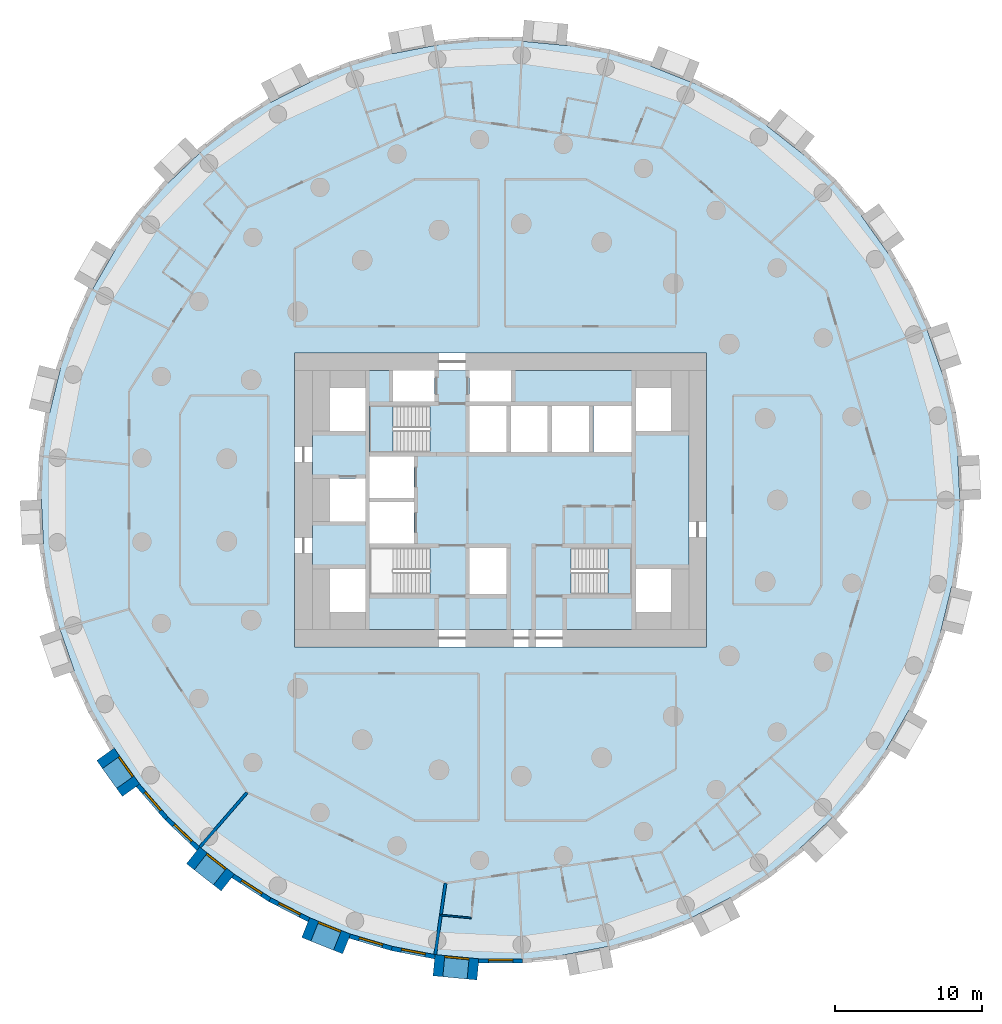
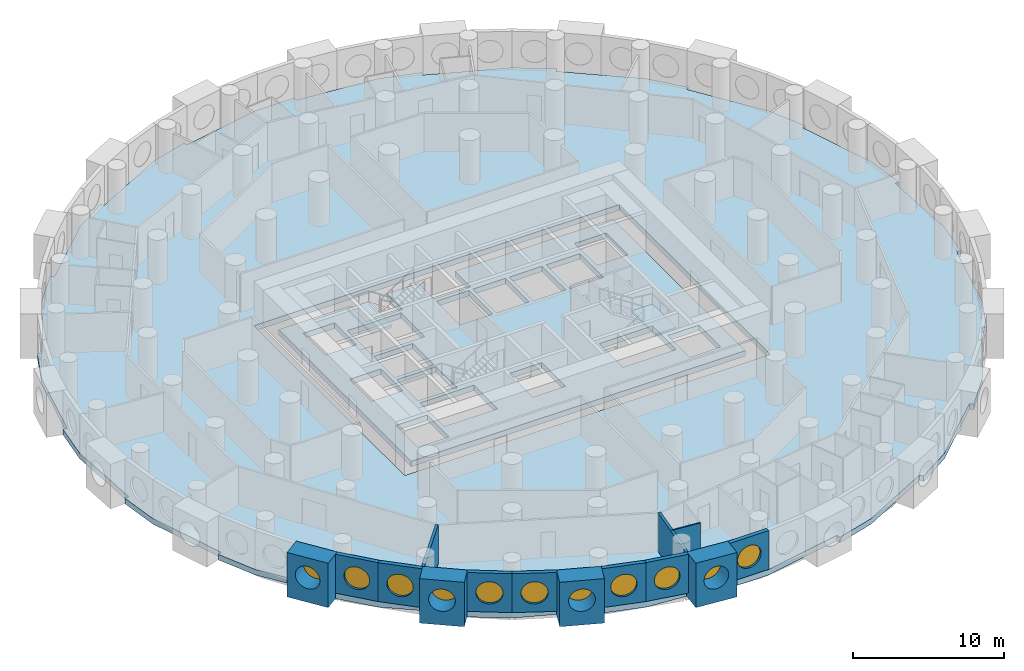
# One storey, part 2 of 11: 14 walls, 11 windows, 4 slabs, 11 openings, 2 elements without a shape of their own.
"""IFC4 building model written with IfcOpenShell, lengths in metres."""

from ifc_helpers import new_model, si_unit, direction, frame, frame_2d, origin, origin_2d, place, context, subcontext, project, spatial, polyline, rectangle, circle, outline, extrude, material, layer, layer_set, type_object, element, fill, aggregate, save


model = new_model("IFC4")

# Units and contexts
model_context = context("Model", 3, precision=1e-05, world=origin(), true_north=direction((0.0, 1.0)))
body_context = subcontext(model_context, "Body", "Model", "MODEL_VIEW")
ifc_project = project(units=[si_unit("LENGTHUNIT", "METRE"), si_unit("AREAUNIT", "SQUARE_METRE"), si_unit("VOLUMEUNIT", "CUBIC_METRE"), si_unit("PLANEANGLEUNIT", "RADIAN"), si_unit("MASSUNIT", "GRAM", prefix="KILO")], contexts=[model_context])

# Site, building, storey
site_placement = place(None, origin())
site = spatial("IfcSite", under=ifc_project, at=site_placement, CompositionType="ELEMENT")
building_placement = place(site_placement, origin())
building = spatial("IfcBuilding", under=site, at=building_placement, Name="Tracery Tower", CompositionType="ELEMENT")
storey_placement = place(building_placement, frame((0.0, 0.0, 93.0)))
storey = spatial("IfcBuildingStorey", under=building, at=storey_placement, Name="L23", CompositionType="ELEMENT", Elevation=93.0)

# Slabs
ifc_material_1 = material(Name="Concrete C60/75", Category="concrete")
ifc_layer_1 = layer(ifc_material_1, 0.449951171875)
ifc_layer_set_1 = layer_set([ifc_layer_1], Name="Core floor slab 450 C60")
slab_type_1 = type_object("IfcSlabType", Name="Core floor slab 450 C60", PredefinedType="FLOOR", material=ifc_layer_set_1)
slab_1_placement = place(storey_placement, frame((0.0, 0.0, -0.449951171875)))
element("IfcSlab", 1, at=slab_1_placement, inside=storey, type_object=slab_type_1, Name="L23 core floor 1", PredefinedType="FLOOR", context=body_context, shape_type="SweptSolid", body=[
    extrude(outline(polyline([(-12.800048828125, 8.800048828125), (-7.300048828125, 8.800048828125), (-7.300048828125, 6.699951171875), (-4.5, 6.699951171875), (-4.5, 8.800048828125), (-2.10009765625, 8.800048828125), (-2.10009765625, 6.699951171875), (0.699951171875, 6.699951171875), (0.699951171875, 8.800048828125), (12.800048828125, 8.800048828125), (12.800048828125, -8.800048828125), (-12.800048828125, -8.800048828125), (-12.800048828125, 8.800048828125)]), holes=[polyline([(11.60009765625, -7.60009765625), (11.60009765625, -4.699951171875), (9.199951171875, -4.699951171875), (9.199951171875, -7.60009765625), (11.60009765625, -7.60009765625)]), polyline([(11.60009765625, 4.699951171875), (11.60009765625, 7.60009765625), (9.199951171875, 7.60009765625), (9.199951171875, 4.699951171875), (11.60009765625, 4.699951171875)]), polyline([(4.800537109375, -3.25), (4.800537109375, -6.39990234375), (8.89990234375, -6.39990234375), (8.89990234375, -3.25), (4.800537109375, -3.25)]), polyline([(6.300048828125, 3.25), (8.89990234375, 3.25), (8.89990234375, 6.39990234375), (6.300048828125, 6.39990234375), (6.300048828125, 3.25)]), polyline([(3.5, 3.25), (6.0, 3.25), (6.0, 6.39990234375), (3.5, 6.39990234375), (3.5, 3.25)]), polyline([(3.199951171875, 3.25), (3.199951171875, 6.39990234375), (0.699951171875, 6.39990234375), (0.699951171875, 3.25), (3.199951171875, 3.25)]), polyline([(-2.10009765625, 3.25), (0.39990234375, 3.25), (0.39990234375, 6.39990234375), (-2.10009765625, 6.39990234375), (-2.10009765625, 3.25)]), polyline([(0.39990234375, -6.39990234375), (0.39990234375, -3.25), (-2.10009765625, -3.25), (-2.10009765625, -6.39990234375), (0.39990234375, -6.39990234375)]), polyline([(-4.800537109375, -3.25), (-8.89990234375, -3.25), (-8.89990234375, -6.39990234375), (-4.800537109375, -6.39990234375), (-4.800537109375, -3.25)]), polyline([(-4.800537109375, 6.39990234375), (-8.89990234375, 6.39990234375), (-8.89990234375, 3.25), (-4.800537109375, 3.25), (-4.800537109375, 6.39990234375)]), polyline([(-8.89990234375, -2.949951171875), (-5.89990234375, -2.949951171875), (-5.89990234375, -0.14990234375), (-8.89990234375, -0.14990234375), (-8.89990234375, -2.949951171875)]), polyline([(-5.89990234375, 0.14990234375), (-5.89990234375, 2.949951171875), (-8.89990234375, 2.949951171875), (-8.89990234375, 0.14990234375), (-5.89990234375, 0.14990234375)]), polyline([(-11.60009765625, 4.699951171875), (-9.199951171875, 4.699951171875), (-9.199951171875, 7.60009765625), (-11.60009765625, 7.60009765625), (-11.60009765625, 4.699951171875)]), polyline([(-9.199951171875, -7.60009765625), (-9.199951171875, -4.699951171875), (-11.60009765625, -4.699951171875), (-11.60009765625, -7.60009765625), (-9.199951171875, -7.60009765625)]), polyline([(-9.199951171875, -1.449951171875), (-9.199951171875, 1.449951171875), (-11.60009765625, 1.449951171875), (-11.60009765625, -1.449951171875), (-9.199951171875, -1.449951171875)])]), origin(), (0.0, 0.0, 1.0), 0.449951171875),
])
ifc_material_2 = material(Name="Concrete C50/60", Category="concrete")
ifc_layer_2 = layer(ifc_material_2, 0.449951171875)
ifc_layer_set_2 = layer_set([ifc_layer_2], Name="Floor slab 450")
slab_type_2 = type_object("IfcSlabType", Name="Floor slab 450", PredefinedType="FLOOR", material=ifc_layer_set_2)
slab_2_placement = place(storey_placement, frame((0.0, 0.0, -0.449951171875)))
element("IfcSlab", 2, at=slab_2_placement, inside=storey, type_object=slab_type_2, Name="Floor slab L23", PredefinedType="FLOOR", context=body_context, shape_type="SweptSolid", body=[
    extrude(outline(polyline([(29.964111328125, 8.783447265625), (29.964111328125, 8.783447265625), (28.98291015625, 11.618408203125), (29.266357421875, 11.716552734375), (28.020263671875, 14.4453125), (26.27587890625, 16.869384765625), (26.27587890625, 16.869384765625), (26.27001953125, 16.877685546875), (26.267578125, 16.881103515625), (24.81201171875, 18.9248046875), (24.53564453125, 19.313232421875), (24.780029296875, 19.4873046875), (22.8154296875, 21.75439453125), (20.458740234375, 23.5888671875), (20.458740234375, 23.5888671875), (20.4541015625, 23.592529296875), (20.447509765625, 23.59765625), (18.11181640625, 25.4345703125), (18.11181640625, 25.4345703125), (18.1005859375, 25.443359375), (18.2861328125, 25.67919921875), (15.76220703125, 27.301025390625), (12.984375, 28.397216796875), (12.984375, 28.397216796875), (10.19921875, 29.51220703125), (10.310791015625, 29.790771484375), (7.43212890625, 30.635986328125), (4.4580078125, 30.905029296875), (4.4580078125, 30.905029296875), (4.45166015625, 30.90576171875), (4.443603515625, 30.906494140625), (1.859375, 31.1533203125), (1.471435546875, 31.190185546875), (1.5, 31.489013671875), (1.5, 31.489013671875), (-1.5, 31.489013671875), (-4.4296875, 30.9091796875), (-4.4296875, 30.9091796875), (-4.4365234375, 30.90771484375), (-4.443603515625, 30.906494140625), (-7.114501953125, 30.3916015625), (-7.37548828125, 30.34130859375), (-7.43212890625, 30.635986328125), (-10.310791015625, 29.790771484375), (-12.95849609375, 28.4091796875), (-12.958251953125, 28.4091796875), (-13.0693359375, 28.351806640625), (-15.612060546875, 27.041015625), (-15.612060546875, 27.041015625), (-15.624755859375, 27.034423828125), (-15.76220703125, 27.301025390625), (-15.76220703125, 27.301025390625), (-18.2861328125, 25.67919921875), (-20.437255859375, 23.607666015625), (-20.437255859375, 23.607666015625), (-20.441162109375, 23.603759765625), (-20.447509765625, 23.59765625), (-21.854736328125, 22.256103515625), (-22.6083984375, 21.537353515625), (-22.8154296875, 21.75439453125), (-24.780029296875, 19.4873046875), (-26.260498046875, 16.8935546875), (-26.260498046875, 16.8935546875), (-26.265380859375, 16.884765625), (-26.267578125, 16.881103515625), (-27.753173828125, 14.307861328125), (-27.753173828125, 14.307861328125), (-27.760498046875, 14.29541015625), (-28.02001953125, 14.4453125), (-28.020263671875, 14.4453125), (-29.266357421875, 11.716552734375), (-29.956298828125, 8.810791015625), (-29.9560546875, 8.810791015625), (-30.6015625, 6.150390625), (-30.659912109375, 5.9091796875), (-30.659912109375, 5.9091796875), (-30.663330078125, 5.895263671875), (-30.954833984375, 5.966064453125), (-31.3818359375, 2.99658203125), (-31.22509765625, 0.014404296875), (-31.224853515625, 0.014404296875), (-31.082275390625, -2.982421875), (-31.3818359375, -2.99658203125), (-30.954833984375, -5.966064453125), (-29.964111328125, -8.783447265625), (-29.964111328125, -8.783447265625), (-28.98291015625, -11.618408203125), (-29.266357421875, -11.716552734375), (-28.020263671875, -14.4453125), (-26.27587890625, -16.869384765625), (-26.27587890625, -16.869384765625), (-26.27001953125, -16.877685546875), (-26.267578125, -16.881103515625), (-24.81201171875, -18.9248046875), (-24.53564453125, -19.313232421875), (-24.780029296875, -19.4873046875), (-22.8154296875, -21.75439453125), (-20.458740234375, -23.5888671875), (-20.458740234375, -23.5888671875), (-20.4541015625, -23.592529296875), (-20.447509765625, -23.59765625), (-18.11181640625, -25.4345703125), (-18.11181640625, -25.4345703125), (-18.1005859375, -25.443359375), (-18.2861328125, -25.67919921875), (-15.76220703125, -27.301025390625), (-12.984375, -28.397216796875), (-12.984375, -28.397216796875), (-10.19921875, -29.51220703125), (-10.310791015625, -29.790771484375), (-7.43212890625, -30.635986328125), (-4.4580078125, -30.905029296875), (-4.4580078125, -30.905029296875), (-4.45166015625, -30.90576171875), (-4.443603515625, -30.906494140625), (-1.859375, -31.1533203125), (-1.471435546875, -31.190185546875), (-1.5, -31.489013671875), (-1.5, -31.489013671875), (1.5, -31.489013671875), (4.4296875, -30.9091796875), (4.4296875, -30.9091796875), (4.4365234375, -30.90771484375), (4.443603515625, -30.906494140625), (7.114501953125, -30.3916015625), (7.37548828125, -30.34130859375), (7.43212890625, -30.635986328125), (10.310791015625, -29.790771484375), (12.95849609375, -28.4091796875), (12.958251953125, -28.4091796875), (13.0693359375, -28.351806640625), (15.612060546875, -27.041015625), (15.612060546875, -27.041015625), (15.624755859375, -27.034423828125), (15.76220703125, -27.301025390625), (15.76220703125, -27.301025390625), (18.2861328125, -25.67919921875), (20.437255859375, -23.607666015625), (20.437255859375, -23.607666015625), (20.441162109375, -23.603759765625), (20.447509765625, -23.59765625), (21.854736328125, -22.256103515625), (22.6083984375, -21.537353515625), (22.8154296875, -21.75439453125), (24.780029296875, -19.4873046875), (26.260498046875, -16.8935546875), (26.260498046875, -16.8935546875), (26.265380859375, -16.884765625), (26.267578125, -16.881103515625), (27.753173828125, -14.307861328125), (27.753173828125, -14.307861328125), (27.760498046875, -14.29541015625), (28.02001953125, -14.4453125), (28.020263671875, -14.4453125), (29.266357421875, -11.716552734375), (29.956298828125, -8.810791015625), (29.9560546875, -8.810791015625), (30.6015625, -6.150390625), (30.659912109375, -5.9091796875), (30.659912109375, -5.9091796875), (30.663330078125, -5.895263671875), (30.954833984375, -5.966064453125), (31.3818359375, -2.99658203125), (31.22509765625, -0.014404296875), (31.224853515625, -0.014404296875), (31.082275390625, 2.982421875), (31.3818359375, 2.99658203125), (30.954833984375, 5.966064453125), (29.964111328125, 8.783447265625)]), holes=[polyline([(-14.0, -10.0), (14.0, -10.0), (14.0, 10.0), (-14.0, 10.0), (-14.0, -10.0)])]), origin(), (0.0, 0.0, 1.0), 0.449951171875),
])

# Stair, slab
ifc_material_3 = material(Name="Concrete C32/40", Category="concrete")
stair_type = type_object("IfcStairType", Name="Core stair 22 risers", PredefinedType="HALF_TURN_STAIR", material=ifc_material_3)
stair_1_placement = place(storey_placement, origin())
stair_1 = element("IfcStair", 3, at=stair_1_placement, inside=storey, type_object=stair_type, Name="L23 stair ST3", PredefinedType="HALF_TURN_STAIR")
ifc_material_4 = material(Name="Concrete C32/40", Category="concrete")
ifc_layer_3 = layer(ifc_material_4, 0.199951171875)
ifc_layer_set_3 = layer_set([ifc_layer_3], Name="Stair landing slab 200")
slab_type_3 = type_object("IfcSlabType", Name="Stair landing slab 200", PredefinedType="LANDING", material=ifc_layer_set_3)
slab_3_placement = place(storey_placement, frame((0.0, 0.0, 1.60009765625)))
slab_3 = element("IfcSlab", 4, at=slab_3_placement, type_object=slab_type_3, Name="ST3 landing 1", PredefinedType="LANDING", context=body_context, shape_type="SweptSolid", body=[
    extrude(outline(polyline([(-7.29931640625, 6.39990234375), (-8.89990234375, 6.39990234375), (-8.89990234375, 3.25), (-7.29931640625, 3.25), (-7.29931640625, 6.39990234375)])), origin(), (0.0, 0.0, 1.0), 0.199951171875),
])
aggregate(stair_1, [slab_3])

stair_2_placement = place(storey_placement, origin())
stair_2 = element("IfcStair", 5, at=stair_2_placement, inside=storey, type_object=stair_type, Name="L23 stair ST2", PredefinedType="HALF_TURN_STAIR")
slab_4_placement = place(storey_placement, frame((0.0, 0.0, 1.60009765625)))
slab_4 = element("IfcSlab", 6, at=slab_4_placement, type_object=slab_type_3, Name="ST2 landing 1", PredefinedType="LANDING", context=body_context, shape_type="SweptSolid", body=[
    extrude(outline(polyline([(7.29931640625, -6.39990234375), (8.89990234375, -6.39990234375), (8.89990234375, -3.25), (7.29931640625, -3.25), (7.29931640625, -6.39990234375)])), origin(), (0.0, 0.0, 1.0), 0.199951171875),
])
aggregate(stair_2, [slab_4])

# Wall, opening, window
ifc_material_5 = material(Name="Precast concrete C50/60", Category="concrete")
ifc_layer_4 = layer(ifc_material_5, 1.449951171875)
ifc_layer_set_4 = layer_set([ifc_layer_4], Name="Deep-set bay unit 3000 x 3600, slab edge 450")
wall_type_1 = type_object("IfcWallType", Name="Deep-set bay unit 3000 x 3600, slab edge 450", PredefinedType="ELEMENTEDWALL", material=ifc_layer_set_4)
wall_1_placement = place(storey_placement, frame((-26.866455078125, -17.2900390625, -0.449951171875), z_axis=(0.0, 0.0, 1.0), x_axis=(0.580090570606, -0.814551981088, 0.0)))
wall_1 = element("IfcWall", 7, at=wall_1_placement, inside=storey, type_object=wall_type_1, Name="Deep-set bay unit 40 at L23", PredefinedType="ELEMENTEDWALL", context=body_context, shape_type="SweptSolid", body=[
    extrude(rectangle(XDim=3.0, YDim=1.449951171875, at=frame_2d((1.5, 0.0))), origin(), (0.0, 0.0, 1.0), 3.599853515625),
])
opening_1_placement = place(wall_1_placement, frame((1.5, 0.0, 2.0)))
opening_1 = element("IfcOpeningElement", 8, at=opening_1_placement, cuts=wall_1, Name="Opening WN1", PredefinedType="OPENING", context=body_context, shape_type="SweptSolid", body=[
    extrude(circle(Radius=0.9000244140625, at=origin_2d()), frame((0.0, 0.73486328125, 0.0), z_axis=(0.0, -1.0, 0.0), x_axis=(1.0, 0.0, 0.0)), (0.0, 0.0, 1.0), 1.469970703125),
])
ifc_material_6 = material(Name="Aluminium frame with tinted double glazing", Category="aluminium")
window_type = type_object("IfcWindowType", Name="Round window 1800", PartitioningType="SINGLE_PANEL", PredefinedType="WINDOW", material=ifc_material_6)
window_1_placement = place(opening_1_placement, origin())
window_1 = element("IfcWindow", 9, at=window_1_placement, inside=storey, type_object=window_type, Name="Round window 40 at L23", OverallHeight=1.800048828125, OverallWidth=1.800048828125, PartitioningType="SINGLE_PANEL", PredefinedType="WINDOW", context=body_context, shape_type="SweptSolid", body=[
    extrude(circle(Radius=0.9000244140625, at=origin_2d()), frame((0.0, 0.69482421875, 0.0), z_axis=(0.0, -1.0, 0.0), x_axis=(1.0, 0.0, 0.0)), (0.0, 0.0, 1.0), 0.10009765625),
])
fill(opening_1, window_1)

wall_2_placement = place(storey_placement, frame((-20.906982421875, -24.15869140625, -0.449951171875), z_axis=(0.0, 0.0, 1.0), x_axis=(0.786049992888, -0.618162930529, 0.0)))
wall_2 = element("IfcWall", 10, at=wall_2_placement, inside=storey, type_object=wall_type_1, Name="Deep-set bay unit 43 at L23", PredefinedType="ELEMENTEDWALL", context=body_context, shape_type="SweptSolid", body=[
    extrude(rectangle(XDim=3.0, YDim=1.449951171875, at=frame_2d((1.5, 0.0))), origin(), (0.0, 0.0, 1.0), 3.599853515625),
])
opening_2_placement = place(wall_2_placement, frame((1.5, 0.0, 2.0)))
opening_2 = element("IfcOpeningElement", 11, at=opening_2_placement, cuts=wall_2, Name="Opening WN1", PredefinedType="OPENING", context=body_context, shape_type="SweptSolid", body=[
    extrude(circle(Radius=0.9000244140625, at=origin_2d()), frame((0.0, 0.73486328125, 0.0), z_axis=(0.0, -1.0, 0.0), x_axis=(1.0, 0.0, 0.0)), (0.0, 0.0, 1.0), 1.469970703125),
])
window_2_placement = place(opening_2_placement, origin())
window_2 = element("IfcWindow", 12, at=window_2_placement, inside=storey, type_object=window_type, Name="Round window 43 at L23", OverallHeight=1.800048828125, OverallWidth=1.800048828125, PartitioningType="SINGLE_PANEL", PredefinedType="WINDOW", context=body_context, shape_type="SweptSolid", body=[
    extrude(circle(Radius=0.9000244140625, at=origin_2d()), frame((0.0, 0.69482421875, 0.0), z_axis=(0.0, -1.0, 0.0), x_axis=(1.0, 0.0, 0.0)), (0.0, 0.0, 1.0), 0.10009765625),
])
fill(opening_2, window_2)

wall_3_placement = place(storey_placement, frame((-13.253662109375, -29.0703125, -0.449951171875), z_axis=(0.0, 0.0, 1.0), x_axis=(0.928358776184, -0.371685327504, 0.0)))
wall_3 = element("IfcWall", 13, at=wall_3_placement, inside=storey, type_object=wall_type_1, Name="Deep-set bay unit 46 at L23", PredefinedType="ELEMENTEDWALL", context=body_context, shape_type="SweptSolid", body=[
    extrude(rectangle(XDim=2.999755859375, YDim=1.449951171875, at=frame_2d((1.5, 0.0))), origin(), (0.0, 0.0, 1.0), 3.599853515625),
])
opening_3_placement = place(wall_3_placement, frame((1.5, 0.0, 2.0)))
opening_3 = element("IfcOpeningElement", 14, at=opening_3_placement, cuts=wall_3, Name="Opening WN1", PredefinedType="OPENING", context=body_context, shape_type="SweptSolid", body=[
    extrude(circle(Radius=0.9000244140625, at=origin_2d()), frame((0.0, 0.73486328125, 0.0), z_axis=(0.0, -1.0, 0.0), x_axis=(1.0, 0.0, 0.0)), (0.0, 0.0, 1.0), 1.469970703125),
])
window_3_placement = place(opening_3_placement, origin())
window_3 = element("IfcWindow", 15, at=window_3_placement, inside=storey, type_object=window_type, Name="Round window 46 at L23", OverallHeight=1.800048828125, OverallWidth=1.800048828125, PartitioningType="SINGLE_PANEL", PredefinedType="WINDOW", context=body_context, shape_type="SweptSolid", body=[
    extrude(circle(Radius=0.9000244140625, at=origin_2d()), frame((0.0, 0.69482421875, 0.0), z_axis=(0.0, -1.0, 0.0), x_axis=(1.0, 0.0, 0.0)), (0.0, 0.0, 1.0), 0.10009765625),
])
fill(opening_3, window_3)

wall_4_placement = place(storey_placement, frame((-4.52685546875, -31.626708984375, -0.449951171875), z_axis=(0.0, 0.0, 1.0), x_axis=(0.995472768558, -0.09504718333, 0.0)))
wall_4 = element("IfcWall", 16, at=wall_4_placement, inside=storey, type_object=wall_type_1, Name="Deep-set bay unit 49 at L23", PredefinedType="ELEMENTEDWALL", context=body_context, shape_type="SweptSolid", body=[
    extrude(rectangle(XDim=3.000244140625, YDim=1.449951171875, at=frame_2d((1.5, 0.0))), origin(), (0.0, 0.0, 1.0), 3.599853515625),
])
opening_4_placement = place(wall_4_placement, frame((1.5, 0.0, 2.0)))
opening_4 = element("IfcOpeningElement", 17, at=opening_4_placement, cuts=wall_4, Name="Opening WN1", PredefinedType="OPENING", context=body_context, shape_type="SweptSolid", body=[
    extrude(circle(Radius=0.9000244140625, at=origin_2d()), frame((0.0, 0.73486328125, 0.0), z_axis=(0.0, -1.0, 0.0), x_axis=(1.0, 0.0, 0.0)), (0.0, 0.0, 1.0), 1.469970703125),
])
window_4_placement = place(opening_4_placement, origin())
window_4 = element("IfcWindow", 18, at=window_4_placement, inside=storey, type_object=window_type, Name="Round window 49 at L23", OverallHeight=1.800048828125, OverallWidth=1.800048828125, PartitioningType="SINGLE_PANEL", PredefinedType="WINDOW", context=body_context, shape_type="SweptSolid", body=[
    extrude(circle(Radius=0.9000244140625, at=origin_2d()), frame((0.0, 0.69482421875, 0.0), z_axis=(0.0, -1.0, 0.0), x_axis=(1.0, 0.0, 0.0)), (0.0, 0.0, 1.0), 0.10009765625),
])
fill(opening_4, window_4)

ifc_material_7 = material(Name="Precast concrete C50/60", Category="concrete")
ifc_layer_5 = layer(ifc_material_7, 0.300048828125)
ifc_layer_set_5 = layer_set([ifc_layer_5], Name="Facade panel 3000 x 3150")
wall_type_2 = type_object("IfcWallType", Name="Facade panel 3000 x 3150", PredefinedType="SOLIDWALL", material=ifc_layer_set_5)
wall_5_placement = place(storey_placement, frame((-24.657958984375, -19.39892578125, 0.0), z_axis=(0.0, 0.0, 1.0), x_axis=(0.654830712471, -0.755775587066, 0.0)))
wall_5 = element("IfcWall", 19, at=wall_5_placement, inside=storey, type_object=wall_type_2, Name="Facade panel 41 at L23", PredefinedType="SOLIDWALL", context=body_context, shape_type="SweptSolid", body=[
    extrude(rectangle(XDim=2.979736328125, YDim=0.300048828125, at=frame_2d((1.48974609375, 0.0))), origin(), (0.0, 0.0, 1.0), 3.14990234375),
])
opening_5_placement = place(wall_5_placement, frame((1.48974609375, 0.0, 1.5498046875)))
opening_5 = element("IfcOpeningElement", 20, at=opening_5_placement, cuts=wall_5, Name="Opening WN1", PredefinedType="OPENING", context=body_context, shape_type="SweptSolid", body=[
    extrude(circle(Radius=0.9000244140625, at=origin_2d()), frame((0.0, 0.159912109375, 0.0), z_axis=(0.0, -1.0, 0.0), x_axis=(1.0, 0.0, 0.0)), (0.0, 0.0, 1.0), 0.320068359375),
])
window_5_placement = place(opening_5_placement, origin())
window_5 = element("IfcWindow", 21, at=window_5_placement, inside=storey, type_object=window_type, Name="Round window 41 at L23", OverallHeight=1.800048828125, OverallWidth=1.800048828125, PartitioningType="SINGLE_PANEL", PredefinedType="WINDOW", context=body_context, shape_type="SweptSolid", body=[
    extrude(circle(Radius=0.9000244140625, at=origin_2d()), frame((0.0, 0.1201171875, 0.0), z_axis=(0.0, -1.0, 0.0), x_axis=(1.0, 0.0, 0.0)), (0.0, 0.0, 1.0), 0.10009765625),
])
fill(opening_5, window_5)

wall_6_placement = place(storey_placement, frame((-22.706787109375, -21.65087890625, 0.0), z_axis=(0.0, 0.0, 1.0), x_axis=(0.723744206617, -0.690068346896, 0.0)))
wall_6 = element("IfcWall", 22, at=wall_6_placement, inside=storey, type_object=wall_type_2, Name="Facade panel 42 at L23", PredefinedType="SOLIDWALL", context=body_context, shape_type="SweptSolid", body=[
    extrude(rectangle(XDim=2.979736328125, YDim=0.300048828125, at=frame_2d((1.48974609375, 0.0))), origin(), (0.0, 0.0, 1.0), 3.14990234375),
])
opening_6_placement = place(wall_6_placement, frame((1.48974609375, 0.0, 1.5498046875)))
opening_6 = element("IfcOpeningElement", 23, at=opening_6_placement, cuts=wall_6, Name="Opening WN1", PredefinedType="OPENING", context=body_context, shape_type="SweptSolid", body=[
    extrude(circle(Radius=0.9000244140625, at=origin_2d()), frame((0.0, 0.159912109375, 0.0), z_axis=(0.0, -1.0, 0.0), x_axis=(1.0, 0.0, 0.0)), (0.0, 0.0, 1.0), 0.320068359375),
])
window_6_placement = place(opening_6_placement, origin())
window_6 = element("IfcWindow", 24, at=window_6_placement, inside=storey, type_object=window_type, Name="Round window 42 at L23", OverallHeight=1.800048828125, OverallWidth=1.800048828125, PartitioningType="SINGLE_PANEL", PredefinedType="WINDOW", context=body_context, shape_type="SweptSolid", body=[
    extrude(circle(Radius=0.9000244140625, at=origin_2d()), frame((0.0, 0.1201171875, 0.0), z_axis=(0.0, -1.0, 0.0), x_axis=(1.0, 0.0, 0.0)), (0.0, 0.0, 1.0), 0.10009765625),
])
fill(opening_6, window_6)

wall_7_placement = place(storey_placement, frame((-18.19384765625, -25.56005859375, 0.0), z_axis=(0.0, 0.0, 1.0), x_axis=(0.84122372879, -0.540687190639, 0.0)))
wall_7 = element("IfcWall", 25, at=wall_7_placement, inside=storey, type_object=wall_type_2, Name="Facade panel 44 at L23", PredefinedType="SOLIDWALL", context=body_context, shape_type="SweptSolid", body=[
    extrude(rectangle(XDim=2.979736328125, YDim=0.300048828125, at=frame_2d((1.48974609375, 0.0))), origin(), (0.0, 0.0, 1.0), 3.14990234375),
])
opening_7_placement = place(wall_7_placement, frame((1.48974609375, 0.0, 1.5498046875)))
opening_7 = element("IfcOpeningElement", 26, at=opening_7_placement, cuts=wall_7, Name="Opening WN1", PredefinedType="OPENING", context=body_context, shape_type="SweptSolid", body=[
    extrude(circle(Radius=0.9000244140625, at=origin_2d()), frame((0.0, 0.159912109375, 0.0), z_axis=(0.0, -1.0, 0.0), x_axis=(1.0, 0.0, 0.0)), (0.0, 0.0, 1.0), 0.320068359375),
])
window_7_placement = place(opening_7_placement, origin())
window_7 = element("IfcWindow", 27, at=window_7_placement, inside=storey, type_object=window_type, Name="Round window 44 at L23", OverallHeight=1.800048828125, OverallWidth=1.800048828125, PartitioningType="SINGLE_PANEL", PredefinedType="WINDOW", context=body_context, shape_type="SweptSolid", body=[
    extrude(circle(Radius=0.9000244140625, at=origin_2d()), frame((0.0, 0.1201171875, 0.0), z_axis=(0.0, -1.0, 0.0), x_axis=(1.0, 0.0, 0.0)), (0.0, 0.0, 1.0), 0.10009765625),
])
fill(opening_7, window_7)

wall_8_placement = place(storey_placement, frame((-15.687255859375, -27.171142578125, 0.0), z_axis=(0.0, 0.0, 1.0), x_axis=(0.888853225096, -0.4581920386, 0.0)))
wall_8 = element("IfcWall", 28, at=wall_8_placement, inside=storey, type_object=wall_type_2, Name="Facade panel 45 at L23", PredefinedType="SOLIDWALL", context=body_context, shape_type="SweptSolid", body=[
    extrude(rectangle(XDim=2.9794921875, YDim=0.300048828125, at=frame_2d((1.48974609375, 0.0))), origin(), (0.0, 0.0, 1.0), 3.14990234375),
])
opening_8_placement = place(wall_8_placement, frame((1.48974609375, 0.0, 1.5498046875)))
opening_8 = element("IfcOpeningElement", 29, at=opening_8_placement, cuts=wall_8, Name="Opening WN1", PredefinedType="OPENING", context=body_context, shape_type="SweptSolid", body=[
    extrude(circle(Radius=0.9000244140625, at=origin_2d()), frame((0.0, 0.159912109375, 0.0), z_axis=(0.0, -1.0, 0.0), x_axis=(1.0, 0.0, 0.0)), (0.0, 0.0, 1.0), 0.320068359375),
])
window_8_placement = place(opening_8_placement, origin())
window_8 = element("IfcWindow", 30, at=window_8_placement, inside=storey, type_object=window_type, Name="Round window 45 at L23", OverallHeight=1.800048828125, OverallWidth=1.800048828125, PartitioningType="SINGLE_PANEL", PredefinedType="WINDOW", context=body_context, shape_type="SweptSolid", body=[
    extrude(circle(Radius=0.9000244140625, at=origin_2d()), frame((0.0, 0.1201171875, 0.0), z_axis=(0.0, -1.0, 0.0), x_axis=(1.0, 0.0, 0.0)), (0.0, 0.0, 1.0), 0.10009765625),
])
fill(opening_8, window_8)

wall_9_placement = place(storey_placement, frame((-10.255859375, -29.650634765625, 0.0), z_axis=(0.0, 0.0, 1.0), x_axis=(0.959507586834, -0.28168278401, 0.0)))
wall_9 = element("IfcWall", 31, at=wall_9_placement, inside=storey, type_object=wall_type_2, Name="Facade panel 47 at L23", PredefinedType="SOLIDWALL", context=body_context, shape_type="SweptSolid", body=[
    extrude(rectangle(XDim=2.979736328125, YDim=0.300048828125, at=frame_2d((1.48974609375, 0.0))), origin(), (0.0, 0.0, 1.0), 3.14990234375),
])
opening_9_placement = place(wall_9_placement, frame((1.48974609375, 0.0, 1.5498046875)))
opening_9 = element("IfcOpeningElement", 32, at=opening_9_placement, cuts=wall_9, Name="Opening WN1", PredefinedType="OPENING", context=body_context, shape_type="SweptSolid", body=[
    extrude(circle(Radius=0.9000244140625, at=origin_2d()), frame((0.0, 0.159912109375, 0.0), z_axis=(0.0, -1.0, 0.0), x_axis=(1.0, 0.0, 0.0)), (0.0, 0.0, 1.0), 0.320068359375),
])
window_9_placement = place(opening_9_placement, origin())
window_9 = element("IfcWindow", 33, at=window_9_placement, inside=storey, type_object=window_type, Name="Round window 47 at L23", OverallHeight=1.800048828125, OverallWidth=1.800048828125, PartitioningType="SINGLE_PANEL", PredefinedType="WINDOW", context=body_context, shape_type="SweptSolid", body=[
    extrude(circle(Radius=0.9000244140625, at=origin_2d()), frame((0.0, 0.1201171875, 0.0), z_axis=(0.0, -1.0, 0.0), x_axis=(1.0, 0.0, 0.0)), (0.0, 0.0, 1.0), 0.10009765625),
])
fill(opening_9, window_9)

wall_10_placement = place(storey_placement, frame((-7.396728515625, -30.489990234375, 0.0), z_axis=(0.0, 0.0, 1.0), x_axis=(0.981924535406, -0.189272836848, 0.0)))
wall_10 = element("IfcWall", 34, at=wall_10_placement, inside=storey, type_object=wall_type_2, Name="Facade panel 48 at L23", PredefinedType="SOLIDWALL", context=body_context, shape_type="SweptSolid", body=[
    extrude(rectangle(XDim=2.979736328125, YDim=0.300048828125, at=frame_2d((1.48974609375, 0.0))), origin(), (0.0, 0.0, 1.0), 3.14990234375),
])
opening_10_placement = place(wall_10_placement, frame((1.48974609375, 0.0, 1.5498046875)))
opening_10 = element("IfcOpeningElement", 35, at=opening_10_placement, cuts=wall_10, Name="Opening WN1", PredefinedType="OPENING", context=body_context, shape_type="SweptSolid", body=[
    extrude(circle(Radius=0.9000244140625, at=origin_2d()), frame((0.0, 0.159912109375, 0.0), z_axis=(0.0, -1.0, 0.0), x_axis=(1.0, 0.0, 0.0)), (0.0, 0.0, 1.0), 0.320068359375),
])
window_10_placement = place(opening_10_placement, origin())
window_10 = element("IfcWindow", 36, at=window_10_placement, inside=storey, type_object=window_type, Name="Round window 48 at L23", OverallHeight=1.800048828125, OverallWidth=1.800048828125, PartitioningType="SINGLE_PANEL", PredefinedType="WINDOW", context=body_context, shape_type="SweptSolid", body=[
    extrude(circle(Radius=0.9000244140625, at=origin_2d()), frame((0.0, 0.1201171875, 0.0), z_axis=(0.0, -1.0, 0.0), x_axis=(1.0, 0.0, 0.0)), (0.0, 0.0, 1.0), 0.10009765625),
])
fill(opening_10, window_10)

wall_11_placement = place(storey_placement, frame((-1.48681640625, -31.3388671875, 0.0), z_axis=(0.0, 0.0, 1.0), x_axis=(1.0, 0.0, 0.0)))
wall_11 = element("IfcWall", 37, at=wall_11_placement, inside=storey, type_object=wall_type_2, Name="Facade panel 50 at L23", PredefinedType="SOLIDWALL", context=body_context, shape_type="SweptSolid", body=[
    extrude(rectangle(XDim=2.979736328125, YDim=0.300048828125, at=frame_2d((1.48974609375, 0.0))), origin(), (0.0, 0.0, 1.0), 3.14990234375),
])
opening_11_placement = place(wall_11_placement, frame((1.48974609375, 0.0, 1.5498046875)))
opening_11 = element("IfcOpeningElement", 38, at=opening_11_placement, cuts=wall_11, Name="Opening WN1", PredefinedType="OPENING", context=body_context, shape_type="SweptSolid", body=[
    extrude(circle(Radius=0.9000244140625, at=origin_2d()), frame((0.0, 0.159912109375, 0.0), z_axis=(0.0, -1.0, 0.0), x_axis=(1.0, 0.0, 0.0)), (0.0, 0.0, 1.0), 0.320068359375),
])
window_11_placement = place(opening_11_placement, origin())
window_11 = element("IfcWindow", 39, at=window_11_placement, inside=storey, type_object=window_type, Name="Round window 50 at L23", OverallHeight=1.800048828125, OverallWidth=1.800048828125, PartitioningType="SINGLE_PANEL", PredefinedType="WINDOW", context=body_context, shape_type="SweptSolid", body=[
    extrude(circle(Radius=0.9000244140625, at=origin_2d()), frame((0.0, 0.1201171875, 0.0), z_axis=(0.0, -1.0, 0.0), x_axis=(1.0, 0.0, 0.0)), (0.0, 0.0, 1.0), 0.10009765625),
])
fill(opening_11, window_11)

# Walls
ifc_material_8 = material(Name="Plasterboard on steel studs", Category="steel")
ifc_layer_6 = layer(ifc_material_8, 0.10009765625)
ifc_layer_set_6 = layer_set([ifc_layer_6], Name="Partition 100 wet wall")
wall_type_3 = type_object("IfcWallType", Name="Partition 100 wet wall", PredefinedType="PARTITIONING", material=ifc_layer_set_6)
wall_12_placement = place(storey_placement, frame((-4.05810546875, -28.220947265625, 0.0), z_axis=(0.0, 0.0, 1.0), x_axis=(0.995466291052, -0.095115000814, 0.0)))
element("IfcWall", 40, at=wall_12_placement, inside=storey, type_object=wall_type_3, Name="Wet wall RA7-073", PredefinedType="PARTITIONING", context=body_context, shape_type="SweptSolid", body=[
    extrude(rectangle(XDim=2.0712890625, YDim=0.10009765625, at=frame_2d((1.03564453125, 0.0))), origin(), (0.0, 0.0, 1.0), 3.14990234375),
])
ifc_material_9 = material(Name="Plasterboard on steel studs", Category="steel")
ifc_layer_7 = layer(ifc_material_9, 0.199951171875)
ifc_layer_set_7 = layer_set([ifc_layer_7], Name="Partition 200 compartment wall")
wall_type_4 = type_object("IfcWallType", Name="Partition 200 compartment wall", PredefinedType="PARTITIONING", material=ifc_layer_set_7)
wall_13_placement = place(storey_placement, frame((-20.447998046875, -23.597900390625, 0.0), z_axis=(0.0, 0.0, 1.0), x_axis=(0.654847179409, 0.755761319214, 0.0)))
element("IfcWall", 41, at=wall_13_placement, inside=storey, type_object=wall_type_4, Name="Compartment wall RA7-071", PredefinedType="PARTITIONING", context=body_context, shape_type="SweptSolid", body=[
    extrude(rectangle(XDim=4.90625, YDim=0.199951171875, at=frame_2d((2.453125, 0.0))), origin(), (0.0, 0.0, 1.0), 3.14990234375),
])
wall_14_placement = place(storey_placement, frame((-4.444091796875, -30.906005859375, 0.0), z_axis=(0.0, 0.0, 1.0), x_axis=(0.142452592463, 0.989801626035, 0.0)))
element("IfcWall", 42, at=wall_14_placement, inside=storey, type_object=wall_type_4, Name="Compartment wall RA7-072", PredefinedType="PARTITIONING", context=body_context, shape_type="SweptSolid", body=[
    extrude(rectangle(XDim=4.905029296875, YDim=0.199951171875, at=frame_2d((2.45263671875, 0.0))), origin(), (0.0, 0.0, 1.0), 3.14990234375),
])

save(model, "model.ifc")
